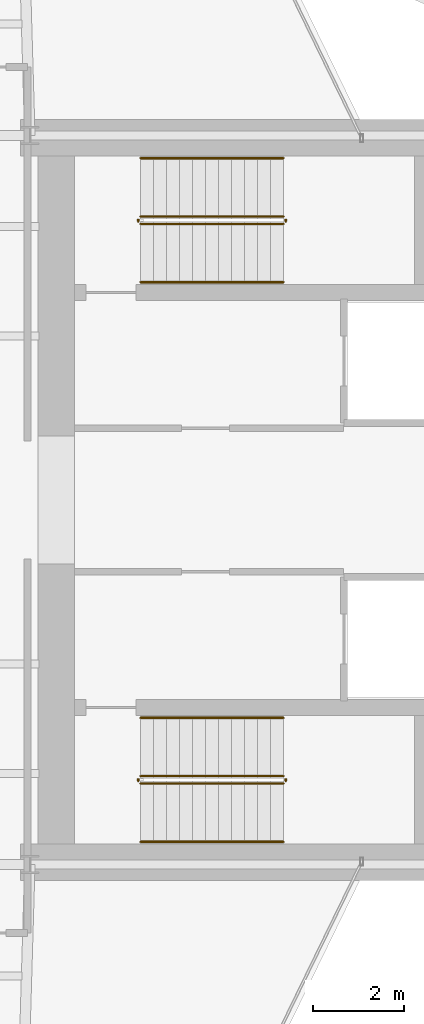
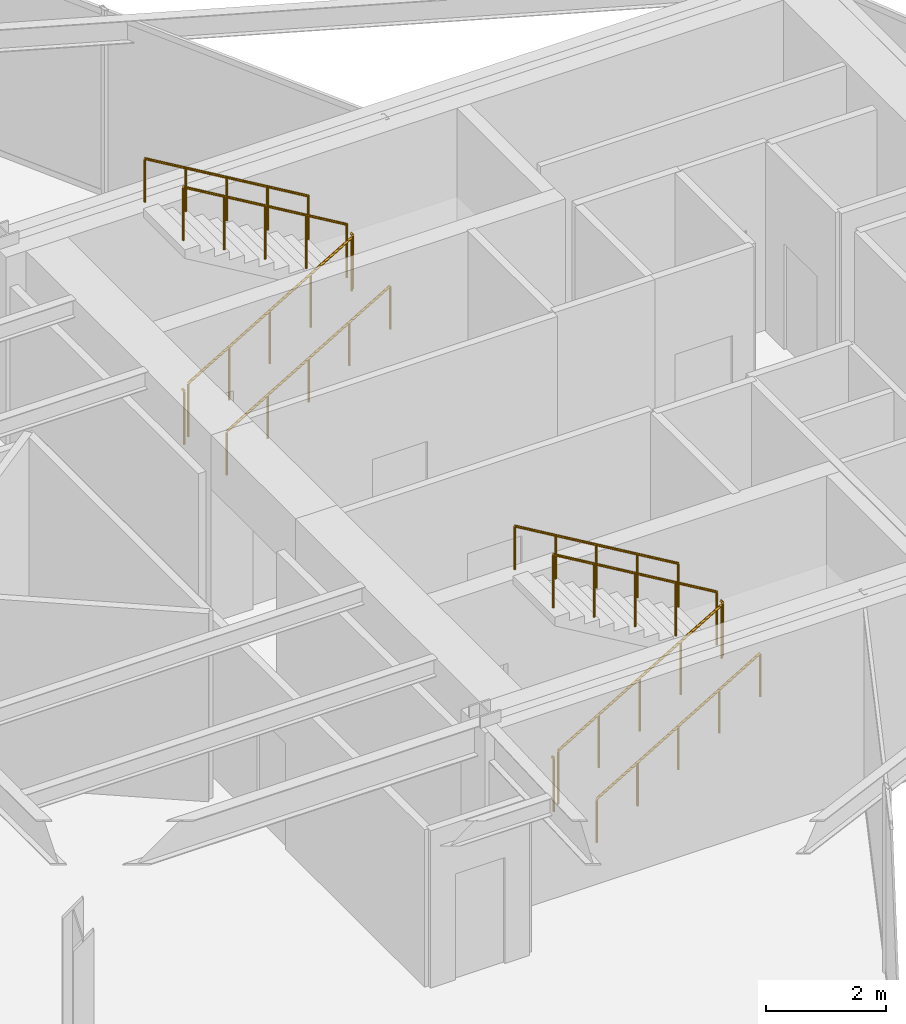
# One storey, part 25 of 25: 12 railings.
"""IFC4 building model written with IfcOpenShell, lengths in metres."""

from ifc_helpers import new_model, si_unit, direction, frame, origin, origin_2d, place, context, subcontext, project, spatial, circle, extrude, material, type_object, element, save


model = new_model("IFC4")

# Units and contexts
model_context = context("Model", 3, precision=1e-05, world=origin(), true_north=direction((0.0, 1.0)))
body_context = subcontext(model_context, "Body", "Model", "MODEL_VIEW")
ifc_project = project(units=[si_unit("LENGTHUNIT", "METRE"), si_unit("AREAUNIT", "SQUARE_METRE"), si_unit("VOLUMEUNIT", "CUBIC_METRE"), si_unit("PLANEANGLEUNIT", "RADIAN"), si_unit("MASSUNIT", "GRAM", prefix="KILO")], contexts=[model_context])

# Site, building, storey
site_placement = place(None, origin())
site = spatial("IfcSite", under=ifc_project, at=site_placement, CompositionType="ELEMENT")
building_placement = place(site_placement, origin())
building = spatial("IfcBuilding", under=site, at=building_placement, Name="Veymaron Broadcast Tower", CompositionType="ELEMENT")
storey_placement = place(building_placement, frame((0.0, 0.0, 120.89990234375)))
storey = spatial("IfcBuildingStorey", under=building, at=storey_placement, Name="L27", CompositionType="ELEMENT", Elevation=120.89990234375)

# Railings
ifc_material_1 = material(Name="Brushed stainless steel AISI 304", Category="steel")
railing_type_1 = type_object("IfcRailingType", Name="RAIL-STAIR-HR", PredefinedType="HANDRAIL", material=ifc_material_1)
railing_1_placement = place(storey_placement, frame((41.429931640625, 28.780029296875, 0.1689453125)))
element("IfcRailing", 1, at=railing_1_placement, inside=storey, type_object=railing_type_1, Name="L27 ST1 stair handrail 1", PredefinedType="HANDRAIL", context=body_context, shape_type="SweptSolid", body=[
    extrude(circle(Radius=0.02392578125, at=origin_2d()), frame((0.0, 0.0, 0.8759765625), z_axis=(0.860481960309, 0.0, 0.509480908359), x_axis=(0.0, 1.0, 0.0)), (0.0, 0.0, 1.0), 3.643310546875),
    extrude(circle(Radius=0.02099609375, at=origin_2d()), origin(), (0.0, 0.0, 1.0), 0.851806640625),
    extrude(circle(Radius=0.02099609375, at=origin_2d()), frame((0.78369140625, 0.0, 0.464111328125)), (0.0, 0.0, 1.0), 0.851806640625),
    extrude(circle(Radius=0.02099609375, at=origin_2d()), frame((1.5673828125, 0.0, 0.92822265625)), (0.0, 0.0, 1.0), 0.851806640625),
    extrude(circle(Radius=0.02099609375, at=origin_2d()), frame((2.351318359375, 0.0, 1.39208984375)), (0.0, 0.0, 1.0), 0.851806640625),
    extrude(circle(Radius=0.02099609375, at=origin_2d()), frame((3.135009765625, 0.0, 1.856201171875)), (0.0, 0.0, 1.0), 0.851806640625),
])
railing_2_placement = place(storey_placement, frame((44.56494140625, 31.5, 2.19384765625)))
element("IfcRailing", 2, at=railing_2_placement, inside=storey, type_object=railing_type_1, Name="L27 ST1 stair handrail 2", PredefinedType="HANDRAIL", context=body_context, shape_type="SweptSolid", body=[
    extrude(circle(Radius=0.02392578125, at=origin_2d()), frame((0.0, 0.0, 0.8759765625), z_axis=(-0.860481960309, 0.0, 0.509480908359), x_axis=(0.0, -1.0, 0.0)), (0.0, 0.0, 1.0), 3.643310546875),
    extrude(circle(Radius=0.02099609375, at=origin_2d()), origin(), (0.0, 0.0, 1.0), 0.851806640625),
    extrude(circle(Radius=0.02099609375, at=origin_2d()), frame((-0.78369140625, 0.0, 0.464111328125)), (0.0, 0.0, 1.0), 0.851806640625),
    extrude(circle(Radius=0.02099609375, at=origin_2d()), frame((-1.5673828125, 0.0, 0.92822265625)), (0.0, 0.0, 1.0), 0.851806640625),
    extrude(circle(Radius=0.02099609375, at=origin_2d()), frame((-2.351318359375, 0.0, 1.39208984375)), (0.0, 0.0, 1.0), 0.851806640625),
    extrude(circle(Radius=0.02099609375, at=origin_2d()), frame((-3.135009765625, 0.0, 1.856201171875)), (0.0, 0.0, 1.0), 0.851806640625),
])
railing_3_placement = place(storey_placement, frame((41.429931640625, 16.5, 0.1689453125)))
element("IfcRailing", 3, at=railing_3_placement, inside=storey, type_object=railing_type_1, Name="L27 ST2 stair handrail 1", PredefinedType="HANDRAIL", context=body_context, shape_type="SweptSolid", body=[
    extrude(circle(Radius=0.02392578125, at=origin_2d()), frame((0.0, 0.0, 0.8759765625), z_axis=(0.860481960309, 0.0, 0.509480908359), x_axis=(0.0, 1.0, 0.0)), (0.0, 0.0, 1.0), 3.643310546875),
    extrude(circle(Radius=0.02099609375, at=origin_2d()), origin(), (0.0, 0.0, 1.0), 0.851806640625),
    extrude(circle(Radius=0.02099609375, at=origin_2d()), frame((0.78369140625, 0.0, 0.464111328125)), (0.0, 0.0, 1.0), 0.851806640625),
    extrude(circle(Radius=0.02099609375, at=origin_2d()), frame((1.5673828125, 0.0, 0.92822265625)), (0.0, 0.0, 1.0), 0.851806640625),
    extrude(circle(Radius=0.02099609375, at=origin_2d()), frame((2.351318359375, 0.0, 1.39208984375)), (0.0, 0.0, 1.0), 0.851806640625),
    extrude(circle(Radius=0.02099609375, at=origin_2d()), frame((3.135009765625, 0.0, 1.856201171875)), (0.0, 0.0, 1.0), 0.851806640625),
])
railing_4_placement = place(storey_placement, frame((44.56494140625, 19.219970703125, 2.19384765625)))
element("IfcRailing", 4, at=railing_4_placement, inside=storey, type_object=railing_type_1, Name="L27 ST2 stair handrail 2", PredefinedType="HANDRAIL", context=body_context, shape_type="SweptSolid", body=[
    extrude(circle(Radius=0.02392578125, at=origin_2d()), frame((0.0, 0.0, 0.8759765625), z_axis=(-0.860481960309, 0.0, 0.509480908359), x_axis=(0.0, -1.0, 0.0)), (0.0, 0.0, 1.0), 3.643310546875),
    extrude(circle(Radius=0.02099609375, at=origin_2d()), origin(), (0.0, 0.0, 1.0), 0.851806640625),
    extrude(circle(Radius=0.02099609375, at=origin_2d()), frame((-0.78369140625, 0.0, 0.464111328125)), (0.0, 0.0, 1.0), 0.851806640625),
    extrude(circle(Radius=0.02099609375, at=origin_2d()), frame((-1.5673828125, 0.0, 0.92822265625)), (0.0, 0.0, 1.0), 0.851806640625),
    extrude(circle(Radius=0.02099609375, at=origin_2d()), frame((-2.351318359375, 0.0, 1.39208984375)), (0.0, 0.0, 1.0), 0.851806640625),
    extrude(circle(Radius=0.02099609375, at=origin_2d()), frame((-3.135009765625, 0.0, 1.856201171875)), (0.0, 0.0, 1.0), 0.851806640625),
])
ifc_material_2 = material(Name="Painted galvanized steel balustrade", Category="steel")
railing_type_2 = type_object("IfcRailingType", Name="RAIL-WELL-GRD", PredefinedType="GUARDRAIL", material=ifc_material_2)
railing_5_placement = place(storey_placement, frame((41.429931640625, 30.06005859375, 0.1689453125)))
element("IfcRailing", 5, at=railing_5_placement, inside=storey, type_object=railing_type_2, Name="L27 ST1 stair guard 1", PredefinedType="GUARDRAIL", context=body_context, shape_type="SweptSolid", body=[
    extrude(circle(Radius=0.02392578125, at=origin_2d()), frame((0.0, 0.0, 1.076171875), z_axis=(0.860481960309, 0.0, 0.509480908359), x_axis=(0.0, 1.0, 0.0)), (0.0, 0.0, 1.0), 3.643310546875),
    extrude(circle(Radius=0.02099609375, at=origin_2d()), origin(), (0.0, 0.0, 1.0), 1.052001953125),
    extrude(circle(Radius=0.02099609375, at=origin_2d()), frame((0.78369140625, 0.0, 0.464111328125)), (0.0, 0.0, 1.0), 1.052001953125),
    extrude(circle(Radius=0.02099609375, at=origin_2d()), frame((1.5673828125, 0.0, 0.92822265625)), (0.0, 0.0, 1.0), 1.052001953125),
    extrude(circle(Radius=0.02099609375, at=origin_2d()), frame((2.351318359375, 0.0, 1.39208984375)), (0.0, 0.0, 1.0), 1.052001953125),
    extrude(circle(Radius=0.02099609375, at=origin_2d()), frame((3.135009765625, 0.0, 1.856201171875)), (0.0, 0.0, 1.0), 1.052001953125),
])
railing_6_placement = place(storey_placement, frame((44.614990234375, 30.110107421875, 2.025146484375)))
element("IfcRailing", 6, at=railing_6_placement, inside=storey, type_object=railing_type_2, Name="L27 ST1 stair guard 2", PredefinedType="GUARDRAIL", context=body_context, shape_type="SweptSolid", body=[
    extrude(circle(Radius=0.02392578125, at=origin_2d()), frame((0.0, 0.0, 1.076171875), z_axis=(0.0, 1.0, 0.0), x_axis=(-1.0, 0.0, 0.0)), (0.0, 0.0, 1.0), 0.059814453125),
    extrude(circle(Radius=0.02099609375, at=origin_2d()), origin(), (0.0, 0.0, 1.0), 1.052001953125),
])
railing_7_placement = place(storey_placement, frame((44.56494140625, 30.219970703125, 2.19384765625)))
element("IfcRailing", 7, at=railing_7_placement, inside=storey, type_object=railing_type_2, Name="L27 ST1 stair guard 3", PredefinedType="GUARDRAIL", context=body_context, shape_type="SweptSolid", body=[
    extrude(circle(Radius=0.02392578125, at=origin_2d()), frame((0.0, 0.0, 1.076171875), z_axis=(-0.860481960309, 0.0, 0.509480908359), x_axis=(0.0, -1.0, 0.0)), (0.0, 0.0, 1.0), 3.643310546875),
    extrude(circle(Radius=0.02099609375, at=origin_2d()), origin(), (0.0, 0.0, 1.0), 1.052001953125),
    extrude(circle(Radius=0.02099609375, at=origin_2d()), frame((-0.78369140625, 0.0, 0.464111328125)), (0.0, 0.0, 1.0), 1.052001953125),
    extrude(circle(Radius=0.02099609375, at=origin_2d()), frame((-1.5673828125, 0.0, 0.92822265625)), (0.0, 0.0, 1.0), 1.052001953125),
    extrude(circle(Radius=0.02099609375, at=origin_2d()), frame((-2.351318359375, 0.0, 1.39208984375)), (0.0, 0.0, 1.0), 1.052001953125),
    extrude(circle(Radius=0.02099609375, at=origin_2d()), frame((-3.135009765625, 0.0, 1.856201171875)), (0.0, 0.0, 1.0), 1.052001953125),
])
railing_8_placement = place(storey_placement, frame((41.3798828125, 30.110107421875, 0.0)))
element("IfcRailing", 8, at=railing_8_placement, inside=storey, type_object=railing_type_2, Name="L27 ST1 stair guard 4", PredefinedType="GUARDRAIL", context=body_context, shape_type="SweptSolid", body=[
    extrude(circle(Radius=0.02392578125, at=origin_2d()), frame((0.0, 0.0, 1.076171875), z_axis=(0.0, 1.0, 0.0), x_axis=(-1.0, 0.0, 0.0)), (0.0, 0.0, 1.0), 0.059814453125),
    extrude(circle(Radius=0.02099609375, at=origin_2d()), origin(), (0.0, 0.0, 1.0), 1.052001953125),
])
railing_9_placement = place(storey_placement, frame((41.429931640625, 17.780029296875, 0.1689453125)))
element("IfcRailing", 9, at=railing_9_placement, inside=storey, type_object=railing_type_2, Name="L27 ST2 stair guard 1", PredefinedType="GUARDRAIL", context=body_context, shape_type="SweptSolid", body=[
    extrude(circle(Radius=0.02392578125, at=origin_2d()), frame((0.0, 0.0, 1.076171875), z_axis=(0.860481960309, 0.0, 0.509480908359), x_axis=(0.0, 1.0, 0.0)), (0.0, 0.0, 1.0), 3.643310546875),
    extrude(circle(Radius=0.02099609375, at=origin_2d()), origin(), (0.0, 0.0, 1.0), 1.052001953125),
    extrude(circle(Radius=0.02099609375, at=origin_2d()), frame((0.78369140625, 0.0, 0.464111328125)), (0.0, 0.0, 1.0), 1.052001953125),
    extrude(circle(Radius=0.02099609375, at=origin_2d()), frame((1.5673828125, 0.0, 0.92822265625)), (0.0, 0.0, 1.0), 1.052001953125),
    extrude(circle(Radius=0.02099609375, at=origin_2d()), frame((2.351318359375, 0.0, 1.39208984375)), (0.0, 0.0, 1.0), 1.052001953125),
    extrude(circle(Radius=0.02099609375, at=origin_2d()), frame((3.135009765625, 0.0, 1.856201171875)), (0.0, 0.0, 1.0), 1.052001953125),
])
railing_10_placement = place(storey_placement, frame((44.614990234375, 17.830078125, 2.025146484375)))
element("IfcRailing", 10, at=railing_10_placement, inside=storey, type_object=railing_type_2, Name="L27 ST2 stair guard 2", PredefinedType="GUARDRAIL", context=body_context, shape_type="SweptSolid", body=[
    extrude(circle(Radius=0.02392578125, at=origin_2d()), frame((0.0, 0.0, 1.076171875), z_axis=(0.0, 1.0, 0.0), x_axis=(-1.0, 0.0, 0.0)), (0.0, 0.0, 1.0), 0.059814453125),
    extrude(circle(Radius=0.02099609375, at=origin_2d()), origin(), (0.0, 0.0, 1.0), 1.052001953125),
])
railing_11_placement = place(storey_placement, frame((44.56494140625, 17.93994140625, 2.19384765625)))
element("IfcRailing", 11, at=railing_11_placement, inside=storey, type_object=railing_type_2, Name="L27 ST2 stair guard 3", PredefinedType="GUARDRAIL", context=body_context, shape_type="SweptSolid", body=[
    extrude(circle(Radius=0.02392578125, at=origin_2d()), frame((0.0, 0.0, 1.076171875), z_axis=(-0.860481960309, 0.0, 0.509480908359), x_axis=(0.0, -1.0, 0.0)), (0.0, 0.0, 1.0), 3.643310546875),
    extrude(circle(Radius=0.02099609375, at=origin_2d()), origin(), (0.0, 0.0, 1.0), 1.052001953125),
    extrude(circle(Radius=0.02099609375, at=origin_2d()), frame((-0.78369140625, 0.0, 0.464111328125)), (0.0, 0.0, 1.0), 1.052001953125),
    extrude(circle(Radius=0.02099609375, at=origin_2d()), frame((-1.5673828125, 0.0, 0.92822265625)), (0.0, 0.0, 1.0), 1.052001953125),
    extrude(circle(Radius=0.02099609375, at=origin_2d()), frame((-2.351318359375, 0.0, 1.39208984375)), (0.0, 0.0, 1.0), 1.052001953125),
    extrude(circle(Radius=0.02099609375, at=origin_2d()), frame((-3.135009765625, 0.0, 1.856201171875)), (0.0, 0.0, 1.0), 1.052001953125),
])
railing_12_placement = place(storey_placement, frame((41.3798828125, 17.830078125, 0.0)))
element("IfcRailing", 12, at=railing_12_placement, inside=storey, type_object=railing_type_2, Name="L27 ST2 stair guard 4", PredefinedType="GUARDRAIL", context=body_context, shape_type="SweptSolid", body=[
    extrude(circle(Radius=0.02392578125, at=origin_2d()), frame((0.0, 0.0, 1.076171875), z_axis=(0.0, 1.0, 0.0), x_axis=(-1.0, 0.0, 0.0)), (0.0, 0.0, 1.0), 0.059814453125),
    extrude(circle(Radius=0.02099609375, at=origin_2d()), origin(), (0.0, 0.0, 1.0), 1.052001953125),
])

save(model, "model.ifc")
